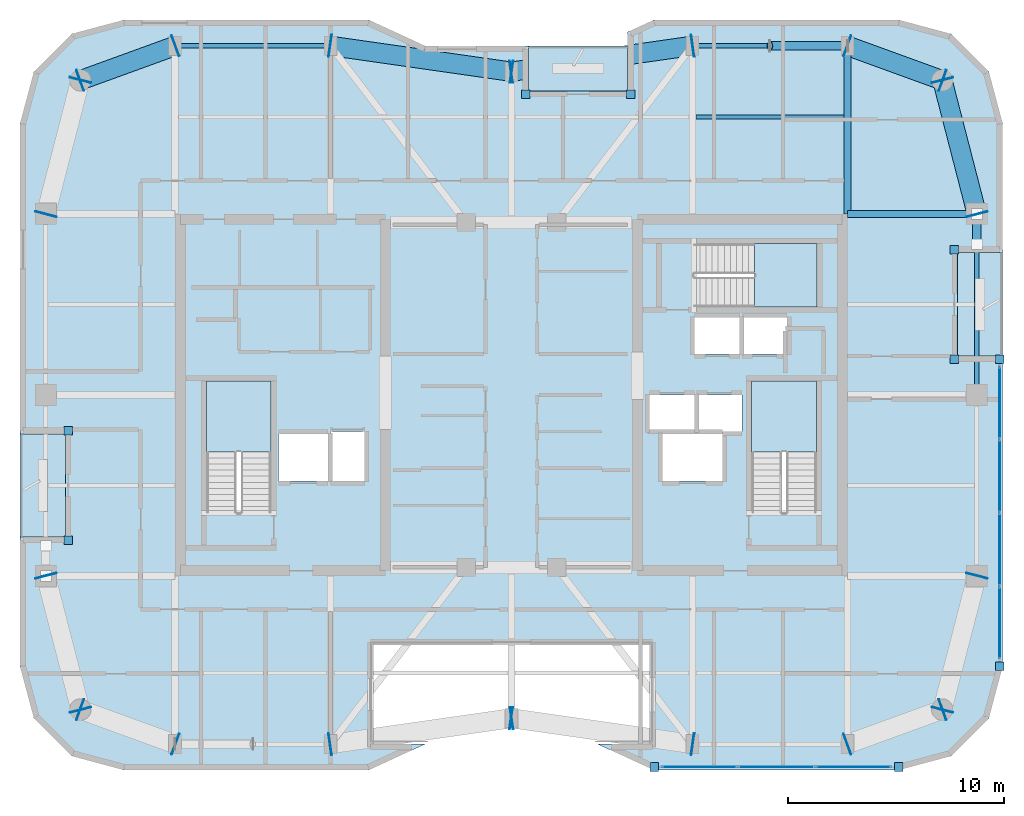
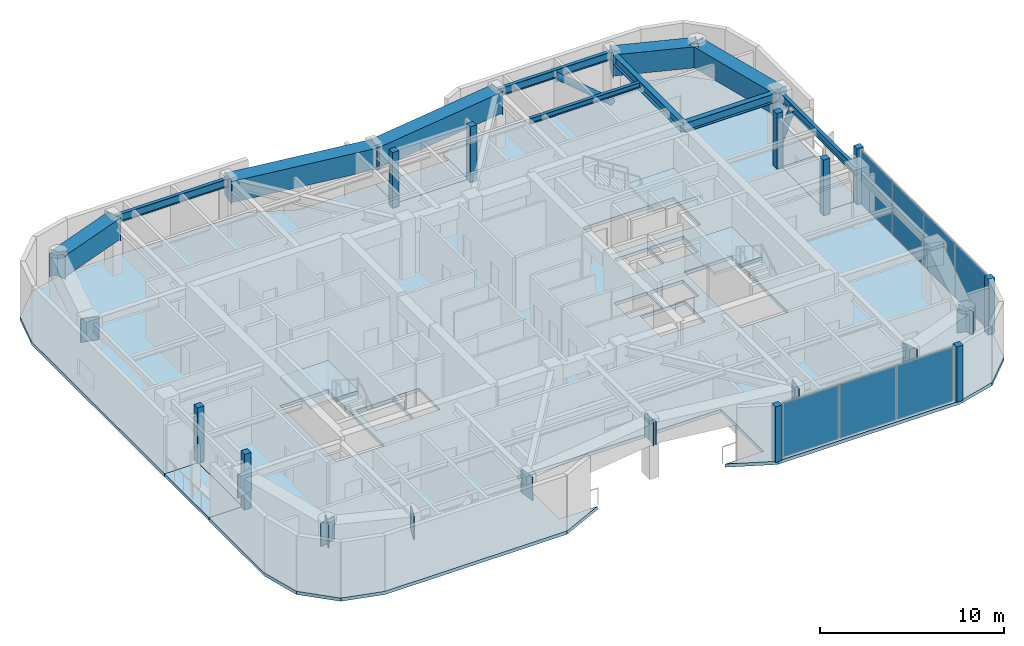
# One storey, part 7 of 16: 41 plates, 11 beams, 7 slabs, 2 members, 5 elements without a shape of their own.
"""IFC4 building model written with IfcOpenShell, lengths in metres."""

from ifc_helpers import new_model, si_unit, direction, frame, origin, origin_2d, place, context, subcontext, project, spatial, polyline, rectangle, hollow_rectangle, hollow_circle, i_section, outline, extrude, material, layer, layer_set, material_profile, profile_set, type_object, element, aggregate, save


model = new_model("IFC4")

# Units and contexts
model_context = context("Model", 3, precision=1e-05, world=origin(), true_north=direction((0.0, 1.0)))
body_context = subcontext(model_context, "Body", "Model", "MODEL_VIEW")
ifc_project = project(units=[si_unit("LENGTHUNIT", "METRE"), si_unit("AREAUNIT", "SQUARE_METRE"), si_unit("VOLUMEUNIT", "CUBIC_METRE"), si_unit("PLANEANGLEUNIT", "RADIAN"), si_unit("MASSUNIT", "GRAM", prefix="KILO")], contexts=[model_context])

# Site, building, storey
site_placement = place(None, origin())
site = spatial("IfcSite", under=ifc_project, at=site_placement, CompositionType="ELEMENT")
building_placement = place(site_placement, origin())
building = spatial("IfcBuilding", under=site, at=building_placement, Name="Kiyonajd Concourse Tower", CompositionType="ELEMENT")
storey_placement = place(building_placement, frame((0.0, 0.0, 298.5)))
storey = spatial("IfcBuildingStorey", under=building, at=storey_placement, Name="L75", CompositionType="ELEMENT", Elevation=298.5)

# Beams
ifc_material_1 = material(Name="Steel ASTM A992 Grade 50", Category="steel")
ifc_material_profile_1 = material_profile(ifc_material_1, i_section(OverallWidth=0.205078125, OverallDepth=0.35400390625, WebThickness=0.009521484375, FlangeThickness=0.016845703125, at=origin_2d()), Name="W360X79")
ifc_profile_set_1 = profile_set([ifc_material_profile_1], Name="Steel ASTM A992 Grade 50")
beam_type_1 = type_object("IfcBeamType", Name="BM-JST-360", PredefinedType="JOIST", material=ifc_profile_set_1)
beam_1_placement = place(storey_placement, frame((56.56201171875, 48.89990234375, 3.5029296875), z_axis=(1.0, 0.0, 0.0), x_axis=(0.0, 1.0, 0.0)))
element("IfcBeam", 1, at=beam_1_placement, inside=storey, type_object=beam_type_1, Name="L75 Secondary Floor Joist", PredefinedType="JOIST", context=body_context, shape_type="SweptSolid", body=[
    extrude(i_section(OverallWidth=0.205078125, OverallDepth=0.35400390625, WebThickness=0.009521484375, FlangeThickness=0.016845703125, at=origin_2d()), origin(), (0.0, 0.0, 1.0), 6.8759765625),
])
ifc_material_profile_2 = material_profile(ifc_material_1, i_section(OverallWidth=0.2109375, OverallDepth=0.5390625, WebThickness=0.01171875, FlangeThickness=0.018798828125, at=origin_2d()), Name="W530X109")
ifc_profile_set_2 = profile_set([ifc_material_profile_2], Name="Steel ASTM A992 Grade 50")
beam_type_2 = type_object("IfcBeamType", Name="BM-SPAN-530B", PredefinedType="SPANDREL", material=ifc_profile_set_2)
beam_2_placement = place(storey_placement, frame((69.60009765625, 36.0, 3.410400390625), z_axis=(0.0, 1.0, 0.0), x_axis=(-1.0, 0.0, 0.0)))
element("IfcBeam", 2, at=beam_2_placement, inside=storey, type_object=beam_type_2, Name="L75 Perimeter Bundled Tube Spandrel", PredefinedType="SPANDREL", context=body_context, shape_type="SweptSolid", body=[
    extrude(i_section(OverallWidth=0.2109375, OverallDepth=0.5390625, WebThickness=0.01171875, FlangeThickness=0.018798828125, at=origin_2d()), origin(), (0.0, 0.0, 1.0), 8.39990234375),
])
for number, where, z_axis, x_axis, name in (
    (3, (63.60009765625, 52.199951171875, 3.410400390625), (-1.0, 0.0, 0.0), (0.0, -1.0, 0.0), "L75 Perimeter Bundled Tube Spandrel"),
    (4, (39.60009765625, 52.199951171875, 3.410400390625), (-1.0, 0.0, 0.0), (0.0, -1.0, 0.0), "L75 Perimeter Bundled Tube Spandrel"),
):
    element("IfcBeam", number, at=place(storey_placement, frame(where, z_axis=z_axis, x_axis=x_axis)), inside=storey, type_object=beam_type_2, Name=name, PredefinedType="SPANDREL", context=body_context, shape_type="SweptSolid", body=[
        extrude(i_section(OverallWidth=0.2109375, OverallDepth=0.5390625, WebThickness=0.01171875, FlangeThickness=0.018798828125, at=origin_2d()), origin(), (0.0, 0.0, 1.0), 7.2001953125),
    ])
ifc_material_profile_3 = material_profile(ifc_material_1, i_section(OverallWidth=0.323974609375, OverallDepth=0.611083984375, WebThickness=0.0126953125, FlangeThickness=0.01904296875, at=origin_2d()), Name="W610X155")
ifc_profile_set_3 = profile_set([ifc_material_profile_3], Name="Steel ASTM A992 Grade 50")
beam_type_3 = type_object("IfcBeamType", Name="BM-TWR-610B", PredefinedType="BEAM", material=ifc_profile_set_3)
beam_3_placement = place(storey_placement, frame((63.60009765625, 44.39990234375, 3.37451171875), z_axis=(0.0, 1.0, 0.0), x_axis=(-1.0, 0.0, 0.0)))
element("IfcBeam", 5, at=beam_3_placement, inside=storey, type_object=beam_type_3, Name="L75 North Lease Girder", PredefinedType="BEAM", context=body_context, shape_type="SweptSolid", body=[
    extrude(i_section(OverallWidth=0.323974609375, OverallDepth=0.611083984375, WebThickness=0.0126953125, FlangeThickness=0.01904296875, at=origin_2d()), origin(), (0.0, 0.0, 1.0), 7.800048828125),
])
beam_4_placement = place(storey_placement, frame((63.60009765625, 44.39990234375, 3.37451171875), z_axis=(1.0, 0.0, 0.0), x_axis=(0.0, 1.0, 0.0)))
element("IfcBeam", 6, at=beam_4_placement, inside=storey, type_object=beam_type_3, Name="L75 East Lease Girder", PredefinedType="BEAM", context=body_context, shape_type="SweptSolid", body=[
    extrude(i_section(OverallWidth=0.323974609375, OverallDepth=0.611083984375, WebThickness=0.0126953125, FlangeThickness=0.01904296875, at=origin_2d()), origin(), (0.0, 0.0, 1.0), 6.0),
])
ifc_material_2 = material(Name="Steel ASTM A572 Grade 50", Category="steel")
ifc_material_profile_4 = material_profile(ifc_material_2, hollow_rectangle(XDim=0.89990234375, YDim=1.39990234375, WallThickness=0.070068359375, at=origin_2d()), Name="BOX-1400x900x70")
ifc_profile_set_4 = profile_set([ifc_material_profile_4], Name="Steel ASTM A572 Grade 50")
beam_type_4 = type_object("IfcBeamType", Name="BM-XFER-1400", PredefinedType="BEAM", material=ifc_profile_set_4)
beam_5_placement = place(storey_placement, frame((69.60009765625, 44.39990234375, 2.97998046875), z_axis=(-0.249884937687, 0.968275538221, 0.0), x_axis=(-0.968275538221, -0.249884937687, 0.0)))
element("IfcBeam", 7, at=beam_5_placement, inside=storey, type_object=beam_type_4, Name="L75 Perimeter Bundled Tube Spandrel", PredefinedType="BEAM", context=body_context, shape_type="SweptSolid", body=[
    extrude(hollow_rectangle(XDim=0.89990234375, YDim=1.39990234375, WallThickness=0.070068359375, at=origin_2d()), origin(), (0.0, 0.0, 1.0), 6.4033203125),
])
beam_6_placement = place(storey_placement, frame((68.0, 50.60009765625, 2.97998046875), z_axis=(-0.939801036019, 0.341722127901, 0.0), x_axis=(-0.341722127901, -0.939801036019, 0.0)))
element("IfcBeam", 8, at=beam_6_placement, inside=storey, type_object=beam_type_4, Name="L75 Perimeter Bundled Tube Spandrel", PredefinedType="BEAM", context=body_context, shape_type="SweptSolid", body=[
    extrude(hollow_rectangle(XDim=0.89990234375, YDim=1.39990234375, WallThickness=0.070068359375, at=origin_2d()), origin(), (0.0, 0.0, 1.0), 4.681640625),
])
for number, where, z_axis, x_axis, name in (
    (9, (56.39990234375, 52.199951171875, 2.97998046875), (-0.989950069105, -0.141417328072, 0.0), (0.141417328072, -0.989950069105, 0.0), "L75 Perimeter Bundled Tube Spandrel"),
    (10, (48.0, 51.0, 2.97998046875), (-0.989950069105, 0.141417328072, 0.0), (-0.141417328072, -0.989950069105, 0.0), "L75 Perimeter Bundled Tube Spandrel"),
):
    element("IfcBeam", number, at=place(storey_placement, frame(where, z_axis=z_axis, x_axis=x_axis)), inside=storey, type_object=beam_type_4, Name=name, PredefinedType="BEAM", context=body_context, shape_type="SweptSolid", body=[
        extrude(hollow_rectangle(XDim=0.89990234375, YDim=1.39990234375, WallThickness=0.070068359375, at=origin_2d()), origin(), (0.0, 0.0, 1.0), 8.485107421875),
    ])
beam_7_placement = place(storey_placement, frame((32.39990234375, 52.199951171875, 2.97998046875), z_axis=(-0.939801036019, -0.341722127901, 0.0), x_axis=(0.341722127901, -0.939801036019, 0.0)))
element("IfcBeam", 11, at=beam_7_placement, inside=storey, type_object=beam_type_4, Name="L75 Perimeter Bundled Tube Spandrel", PredefinedType="BEAM", context=body_context, shape_type="SweptSolid", body=[
    extrude(hollow_rectangle(XDim=0.89990234375, YDim=1.39990234375, WallThickness=0.070068359375, at=origin_2d()), origin(), (0.0, 0.0, 1.0), 4.681640625),
])

# Members
ifc_material_3 = material(Name="Steel ASTM A500 Grade C", Category="steel")
ifc_material_profile_5 = material_profile(ifc_material_3, hollow_circle(Radius=0.202880859375, WallThickness=0.01904296875, at=origin_2d()), Name="CHS-406x19")
ifc_profile_set_5 = profile_set([ifc_material_profile_5], Name="Steel ASTM A500 Grade C")
member_type = type_object("IfcMemberType", Name="MB-PB-HIGH", PredefinedType="BRACE", material=ifc_profile_set_5)
member_1_placement = place(storey_placement, frame((63.60009765625, 52.199951171875, 0.300048828125), z_axis=(-0.765082043761, 0.0, 0.643932811957), x_axis=(0.0, -1.0, 0.0)))
element("IfcMember", 12, at=member_1_placement, inside=storey, type_object=member_type, Name="L75 Upper Zone Hollow Tube Brace PBN", PredefinedType="BRACE", context=body_context, shape_type="SweptSolid", body=[
    extrude(hollow_circle(Radius=0.202880859375, WallThickness=0.01904296875, at=origin_2d()), origin(), (0.0, 0.0, 1.0), 4.70556640625),
])
member_2_placement = place(storey_placement, frame((69.60009765625, 44.39990234375, 0.300048828125), z_axis=(0.0, -0.419410666774, 0.907796614114), x_axis=(1.0, 0.0, 0.0)))
element("IfcMember", 13, at=member_2_placement, inside=storey, type_object=member_type, Name="L75 Upper Zone Hollow Tube Brace PBE", PredefinedType="BRACE", context=body_context, shape_type="SweptSolid", body=[
    extrude(hollow_circle(Radius=0.202880859375, WallThickness=0.01904296875, at=origin_2d()), origin(), (0.0, 0.0, 1.0), 3.337890625),
])

# Plates
ifc_layer_1 = layer(ifc_material_2, 0.031982421875)
ifc_layer_set_1 = layer_set([ifc_layer_1], Name="Steel ASTM A572 Grade 50")
plate_type_1 = type_object("IfcPlateType", Name="PL-CAP-540", PredefinedType="USERDEFINED", material=ifc_layer_set_1)
for number, where, z_axis, x_axis, name in (
    (14, (26.397216796875, 27.610595703125, 2.2099609375), (0.0, 0.0, 1.0), (-0.249873048837, 0.968278606324, 0.0), "L75 Welded Box Girder End Cap"),
    (15, (28.002685546875, 21.389404296875, 2.2099609375), (0.0, 0.0, 1.0), (0.249873048837, -0.968278606324, 0.0), "L75 Welded Box Girder End Cap"),
    (16, (27.98974609375, 21.40380859375, 2.2099609375), (0.0, 0.0, 1.0), (-0.939811951086, 0.341692107891, 0.0), "L75 Welded Box Girder End Cap"),
    (17, (32.410400390625, 19.796142578125, 2.2099609375), (0.0, 0.0, 1.0), (0.939811951086, -0.341692107891, 0.0), "L75 Welded Box Girder End Cap"),
    (18, (39.589111328125, 19.79833984375, 2.2099609375), (0.0, 0.0, 1.0), (-0.989949746297, -0.141419587774, 0.0), "L75 Welded Box Girder End Cap"),
    (19, (48.010986328125, 21.001708984375, 2.2099609375), (0.0, 0.0, 1.0), (0.989949746297, 0.141419587774, 0.0), "L75 Welded Box Girder End Cap"),
    (20, (47.989013671875, 21.001708984375, 2.2099609375), (0.0, 0.0, 1.0), (-0.989949746297, 0.141419587774, 0.0), "L75 Welded Box Girder End Cap"),
    (21, (56.410888671875, 19.79833984375, 2.2099609375), (0.0, 0.0, 1.0), (0.989949746297, -0.141419587774, 0.0), "L75 Welded Box Girder End Cap"),
    (22, (63.589599609375, 19.796142578125, 2.2099609375), (0.0, 0.0, 1.0), (-0.939811951086, -0.341692107891, 0.0), "L75 Welded Box Girder End Cap"),
    (23, (68.01025390625, 21.40380859375, 2.2099609375), (0.0, 0.0, 1.0), (0.939811951086, 0.341692107891, 0.0), "L75 Welded Box Girder End Cap"),
    (24, (67.997314453125, 21.389404296875, 2.2099609375), (0.0, 0.0, 1.0), (-0.249873048837, -0.968278606324, 0.0), "L75 Welded Box Girder End Cap"),
    (25, (69.602783203125, 27.610595703125, 2.2099609375), (0.0, 0.0, 1.0), (0.249873048837, 0.968278606324, 0.0), "L75 Welded Box Girder End Cap"),
    (26, (69.602783203125, 44.389404296875, 2.2099609375), (0.0, 0.0, 1.0), (0.249873048837, -0.968278606324, 0.0), "L75 Welded Box Girder End Cap"),
    (27, (67.997314453125, 50.610595703125, 2.2099609375), (0.0, 0.0, 1.0), (-0.249873048837, 0.968278606324, 0.0), "L75 Welded Box Girder End Cap"),
    (28, (68.01025390625, 50.59619140625, 2.2099609375), (0.0, 0.0, 1.0), (0.939811951086, -0.341692107891, 0.0), "L75 Welded Box Girder End Cap"),
    (29, (63.589599609375, 52.203857421875, 2.2099609375), (0.0, 0.0, 1.0), (-0.939811951086, 0.341692107891, 0.0), "L75 Welded Box Girder End Cap"),
    (30, (56.410888671875, 52.20166015625, 2.2099609375), (0.0, 0.0, 1.0), (0.989949746297, 0.141419587774, 0.0), "L75 Welded Box Girder End Cap"),
    (31, (47.989013671875, 50.998291015625, 2.2099609375), (0.0, 0.0, 1.0), (-0.989949746297, -0.141419587774, 0.0), "L75 Welded Box Girder End Cap"),
    (32, (48.010986328125, 50.998291015625, 2.2099609375), (0.0, 0.0, 1.0), (0.989949746297, -0.141419587774, 0.0), "L75 Welded Box Girder End Cap"),
    (33, (39.589111328125, 52.20166015625, 2.2099609375), (0.0, 0.0, 1.0), (-0.989949746297, 0.141419587774, 0.0), "L75 Welded Box Girder End Cap"),
    (34, (32.410400390625, 52.203857421875, 2.2099609375), (0.0, 0.0, 1.0), (0.939811951086, 0.341692107891, 0.0), "L75 Welded Box Girder End Cap"),
    (35, (27.98974609375, 50.59619140625, 2.2099609375), (0.0, 0.0, 1.0), (-0.939811951086, -0.341692107891, 0.0), "L75 Welded Box Girder End Cap"),
    (36, (28.002685546875, 50.610595703125, 2.2099609375), (0.0, 0.0, 1.0), (0.249873048837, 0.968278606324, 0.0), "L75 Welded Box Girder End Cap"),
    (37, (26.397216796875, 44.389404296875, 2.2099609375), (0.0, 0.0, 1.0), (-0.249873048837, -0.968278606324, 0.0), "L75 Welded Box Girder End Cap"),
):
    element("IfcPlate", number, at=place(storey_placement, frame(where, z_axis=z_axis, x_axis=x_axis)), inside=storey, type_object=plate_type_1, Name=name, ObjectType="CAP PLATE", PredefinedType="USERDEFINED", context=body_context, shape_type="SweptSolid", body=[
        extrude(rectangle(XDim=0.035888671875, YDim=1.02001953125, at=origin_2d()), origin(), (0.0, 0.0, 1.0), 1.5400390625),
    ])

# Curtain wall, plates
ifc_material_4 = material(Name="Thermally Broken Anodised Aluminium", Category="aluminium")
ifc_layer_2 = layer(ifc_material_4, 0.179931640625)
ifc_layer_set_2 = layer_set([ifc_layer_2], Name="Thermally Broken Anodised Aluminium")
curtain_wall_type = type_object("IfcCurtainWallType", Name="CW-SYS-04", PredefinedType="NOTDEFINED", material=ifc_layer_set_2)
curtain_wall_1_placement = place(storey_placement, origin())
curtain_wall_1 = element("IfcCurtainWall", 38, at=curtain_wall_1_placement, inside=storey, type_object=curtain_wall_type, Name="L75 Unitised Curtain Wall CW4", PredefinedType="NOTDEFINED")
ifc_material_5 = material(Name="Double Low-E Insulated Glass", Category="glass")
ifc_layer_3 = layer(ifc_material_5, 0.033935546875)
ifc_layer_set_3 = layer_set([ifc_layer_3], Name="Double Low-E Insulated Glass")
plate_type_2 = type_object("IfcPlateType", Name="PL-CW-VIS34", PredefinedType="CURTAIN_PANEL", material=ifc_layer_set_3)
plate_1_placement = place(storey_placement, frame((70.659912109375, 35.64599609375, 0.06494140625), z_axis=(0.0, 0.0, 1.0), x_axis=(0.0, -1.0, 0.0)))
plate_1 = element("IfcPlate", 39, at=plate_1_placement, type_object=plate_type_2, Name="CW4 panel 1.1", PredefinedType="CURTAIN_PANEL", context=body_context, shape_type="SweptSolid", body=[
    extrude(rectangle(XDim=3.31787109375, YDim=0.033935546875, at=origin_2d()), origin(), (0.0, 0.0, 1.0), 3.550048828125),
])
plate_2_placement = place(storey_placement, frame((70.659912109375, 32.246826171875, 0.06494140625), z_axis=(0.0, 0.0, 1.0), x_axis=(0.0, -1.0, 0.0)))
plate_2 = element("IfcPlate", 40, at=plate_2_placement, type_object=plate_type_2, Name="CW4 panel 2.1", PredefinedType="CURTAIN_PANEL", context=body_context, shape_type="SweptSolid", body=[
    extrude(rectangle(XDim=3.350341796875, YDim=0.033935546875, at=origin_2d()), origin(), (0.0, 0.0, 1.0), 3.550048828125),
])
plate_3_placement = place(storey_placement, frame((70.659912109375, 28.83154296875, 0.06494140625), z_axis=(0.0, 0.0, 1.0), x_axis=(0.0, -1.0, 0.0)))
plate_3 = element("IfcPlate", 41, at=plate_3_placement, type_object=plate_type_2, Name="CW4 panel 3.1", PredefinedType="CURTAIN_PANEL", context=body_context, shape_type="SweptSolid", body=[
    extrude(rectangle(XDim=3.350341796875, YDim=0.033935546875, at=origin_2d()), origin(), (0.0, 0.0, 1.0), 3.550048828125),
])
plate_4_placement = place(storey_placement, frame((70.659912109375, 25.432373046875, 0.06494140625), z_axis=(0.0, 0.0, 1.0), x_axis=(0.0, -1.0, 0.0)))
plate_4 = element("IfcPlate", 42, at=plate_4_placement, type_object=plate_type_2, Name="CW4 panel 4.1", PredefinedType="CURTAIN_PANEL", context=body_context, shape_type="SweptSolid", body=[
    extrude(rectangle(XDim=3.31787109375, YDim=0.033935546875, at=origin_2d()), origin(), (0.0, 0.0, 1.0), 3.550048828125),
])
aggregate(curtain_wall_1, [plate_1, plate_2, plate_3, plate_4])

curtain_wall_2_placement = place(storey_placement, origin())
curtain_wall_2 = element("IfcCurtainWall", 43, at=curtain_wall_2_placement, inside=storey, type_object=curtain_wall_type, Name="L75 Unitised Curtain Wall CW4", PredefinedType="NOTDEFINED")
plate_5_placement = place(storey_placement, frame((63.880126953125, 18.739990234375, 0.06494140625), z_axis=(0.0, 0.0, 1.0), x_axis=(-1.0, 0.0, 0.0)))
plate_5 = element("IfcPlate", 44, at=plate_5_placement, type_object=plate_type_2, Name="CW4 panel 1.1", PredefinedType="CURTAIN_PANEL", context=body_context, shape_type="SweptSolid", body=[
    extrude(rectangle(XDim=3.492919921875, YDim=0.033935546875, at=origin_2d()), origin(), (0.0, 0.0, 1.0), 3.550048828125),
])
plate_6_placement = place(storey_placement, frame((60.30615234375, 18.739990234375, 0.06494140625), z_axis=(0.0, 0.0, 1.0), x_axis=(-1.0, 0.0, 0.0)))
plate_6 = element("IfcPlate", 45, at=plate_6_placement, type_object=plate_type_2, Name="CW4 panel 2.1", PredefinedType="CURTAIN_PANEL", context=body_context, shape_type="SweptSolid", body=[
    extrude(rectangle(XDim=3.525390625, YDim=0.033935546875, at=origin_2d()), origin(), (0.0, 0.0, 1.0), 3.550048828125),
])
plate_7_placement = place(storey_placement, frame((56.732177734375, 18.739990234375, 0.06494140625), z_axis=(0.0, 0.0, 1.0), x_axis=(-1.0, 0.0, 0.0)))
plate_7 = element("IfcPlate", 46, at=plate_7_placement, type_object=plate_type_2, Name="CW4 panel 3.1", PredefinedType="CURTAIN_PANEL", context=body_context, shape_type="SweptSolid", body=[
    extrude(rectangle(XDim=3.492919921875, YDim=0.033935546875, at=origin_2d()), origin(), (0.0, 0.0, 1.0), 3.550048828125),
])
aggregate(curtain_wall_2, [plate_5, plate_6, plate_7])

# Plates
ifc_layer_4 = layer(ifc_material_4, 0.39990234375)
ifc_layer_set_4 = layer_set([ifc_layer_4], Name="Thermally Broken Anodised Aluminium")
plate_type_3 = type_object("IfcPlateType", Name="PL-JMB-400", PredefinedType="USERDEFINED", material=ifc_layer_set_4)
for number, where, z_axis, x_axis, name in (
    (47, (68.56005859375, 42.739990234375, 0.0), (0.0, 0.0, 1.0), (1.0, 0.0, 0.0), "L75 Facade Jamb Closure Plate 01"),
    (48, (68.56005859375, 37.659912109375, 0.0), (0.0, 0.0, 1.0), (1.0, 0.0, 0.0), "L75 Facade Jamb Closure Plate 02"),
    (49, (70.659912109375, 37.659912109375, 0.0), (0.0, 0.0, 1.0), (1.0, 0.0, 0.0), "L75 Facade Jamb Closure Plate 03"),
    (50, (70.659912109375, 23.41845703125, 0.0), (0.0, 0.0, 1.0), (1.0, 0.0, 0.0), "L75 Facade Jamb Closure Plate 04"),
    (51, (65.981689453125, 18.739990234375, 0.0), (0.0, 0.0, 1.0), (1.0, 0.0, 0.0), "L75 Facade Jamb Closure Plate 05"),
    (52, (54.630615234375, 18.739990234375, 0.0), (0.0, 0.0, 1.0), (1.0, 0.0, 0.0), "L75 Facade Jamb Closure Plate 06"),
    (53, (27.43994140625, 29.260009765625, 0.0), (0.0, 0.0, 1.0), (1.0, 0.0, 0.0), "L75 Facade Jamb Closure Plate 07"),
    (54, (27.43994140625, 34.340087890625, 0.0), (0.0, 0.0, 1.0), (1.0, 0.0, 0.0), "L75 Facade Jamb Closure Plate 08"),
    (55, (48.659912109375, 49.9599609375, 0.0), (0.0, 0.0, 1.0), (1.0, 0.0, 0.0), "L75 Facade Jamb Closure Plate 09"),
    (56, (53.5400390625, 49.9599609375, 0.0), (0.0, 0.0, 1.0), (1.0, 0.0, 0.0), "L75 Facade Jamb Closure Plate 10"),
):
    element("IfcPlate", number, at=place(storey_placement, frame(where, z_axis=z_axis, x_axis=x_axis)), inside=storey, type_object=plate_type_3, Name=name, ObjectType="JAMB PLATE", PredefinedType="USERDEFINED", context=body_context, shape_type="SweptSolid", body=[
        extrude(rectangle(XDim=0.39990234375, YDim=0.39990234375, at=origin_2d()), origin(), (0.0, 0.0, 1.0), 3.679931640625),
    ])

# Stair, slab
ifc_material_6 = material(Name="Concrete C40/50", Category="concrete")
stair_type = type_object("IfcStairType", Name="ST-DLG-22R", PredefinedType="HALF_TURN_STAIR", material=ifc_material_6)
stair_1_placement = place(storey_placement, origin())
stair_1 = element("IfcStair", 57, at=stair_1_placement, inside=storey, type_object=stair_type, Name="L75 Protected Exit Stair ST1", PredefinedType="HALF_TURN_STAIR")
ifc_layer_5 = layer(ifc_material_6, 0.199951171875)
ifc_layer_set_5 = layer_set([ifc_layer_5], Name="Concrete C40/50")
slab_type_1 = type_object("IfcSlabType", Name="SL-LND-200", PredefinedType="LANDING", material=ifc_layer_set_5)
slab_1_placement = place(storey_placement, frame((0.0, 0.0, 1.75)))
slab_1 = element("IfcSlab", 58, at=slab_1_placement, type_object=slab_type_1, Name="ST1 landing 1", PredefinedType="LANDING", context=body_context, shape_type="SweptSolid", body=[
    extrude(outline(polyline([(36.85009765625, 33.35009765625), (36.85009765625, 36.64990234375), (33.85009765625, 36.64990234375), (33.85009765625, 33.35009765625), (36.85009765625, 33.35009765625)])), origin(), (0.0, 0.0, 1.0), 0.199951171875),
])
aggregate(stair_1, [slab_1])

stair_2_placement = place(storey_placement, origin())
stair_2 = element("IfcStair", 59, at=stair_2_placement, inside=storey, type_object=stair_type, Name="L75 Protected Exit Stair ST2", PredefinedType="HALF_TURN_STAIR")
slab_2_placement = place(storey_placement, frame((0.0, 0.0, 1.75)))
slab_2 = element("IfcSlab", 60, at=slab_2_placement, type_object=slab_type_1, Name="ST2 landing 1", PredefinedType="LANDING", context=body_context, shape_type="SweptSolid", body=[
    extrude(outline(polyline([(62.14990234375, 33.35009765625), (62.14990234375, 36.64990234375), (59.14990234375, 36.64990234375), (59.14990234375, 33.35009765625), (62.14990234375, 33.35009765625)])), origin(), (0.0, 0.0, 1.0), 0.199951171875),
])
aggregate(stair_2, [slab_2])

stair_3_placement = place(storey_placement, origin())
stair_3 = element("IfcStair", 61, at=stair_3_placement, inside=storey, type_object=stair_type, Name="L75 Protected Exit Stair ST3", PredefinedType="HALF_TURN_STAIR")
slab_3_placement = place(storey_placement, frame((0.0, 0.0, 1.75)))
slab_3 = element("IfcSlab", 62, at=slab_3_placement, type_object=slab_type_1, Name="ST3 landing 1", PredefinedType="LANDING", context=body_context, shape_type="SweptSolid", body=[
    extrude(outline(polyline([(59.280029296875, 40.080078125), (62.179931640625, 40.080078125), (62.179931640625, 43.02001953125), (59.280029296875, 43.02001953125), (59.280029296875, 40.080078125)])), origin(), (0.0, 0.0, 1.0), 0.199951171875),
])
aggregate(stair_3, [slab_3])

# Slabs
ifc_material_7 = material(Name="Precast concrete C50/60", Category="concrete")
ifc_layer_6 = layer(ifc_material_7, 0.199951171875)
ifc_layer_set_6 = layer_set([ifc_layer_6], Name="Precast concrete C50/60")
slab_type_2 = type_object("IfcSlabType", Name="SL-LOG-200", PredefinedType="FLOOR", material=ifc_layer_set_6)
slab_4_placement = place(storey_placement, frame((0.0, 0.0, -0.199951171875)))
element("IfcSlab", 63, at=slab_4_placement, inside=storey, type_object=slab_type_2, Name="L75 Recessed Engawa Loggia Terrace Slab LOG-N", PredefinedType="FLOOR", context=body_context, shape_type="SweptSolid", body=[
    extrude(outline(polyline([(48.800048828125, 50.10009765625), (53.39990234375, 50.10009765625), (53.39990234375, 52.199951171875), (48.800048828125, 52.199951171875), (48.800048828125, 50.10009765625)])), origin(), (0.0, 0.0, 1.0), 0.199951171875),
])
slab_5_placement = place(storey_placement, frame((0.0, 0.0, -0.199951171875)))
element("IfcSlab", 64, at=slab_5_placement, inside=storey, type_object=slab_type_2, Name="L75 Recessed Engawa Loggia Terrace Slab LOG-W", PredefinedType="FLOOR", context=body_context, shape_type="SweptSolid", body=[
    extrude(outline(polyline([(25.199951171875, 29.39990234375), (27.300048828125, 29.39990234375), (27.300048828125, 34.199951171875), (25.199951171875, 34.199951171875), (25.199951171875, 29.39990234375)])), origin(), (0.0, 0.0, 1.0), 0.199951171875),
])
slab_6_placement = place(storey_placement, frame((0.0, 0.0, -0.199951171875)))
element("IfcSlab", 65, at=slab_6_placement, inside=storey, type_object=slab_type_2, Name="L75 Recessed Engawa Loggia Terrace Slab LOG-E", PredefinedType="FLOOR", context=body_context, shape_type="SweptSolid", body=[
    extrude(outline(polyline([(68.699951171875, 37.800048828125), (70.800048828125, 37.800048828125), (70.800048828125, 42.60009765625), (68.699951171875, 42.60009765625), (68.699951171875, 37.800048828125)])), origin(), (0.0, 0.0, 1.0), 0.199951171875),
])
ifc_layer_7 = layer(ifc_material_6, 0.219970703125)
ifc_layer_set_7 = layer_set([ifc_layer_7], Name="Concrete C40/50")
slab_type_3 = type_object("IfcSlabType", Name="SL-TWR-220", PredefinedType="FLOOR", material=ifc_layer_set_7)
slab_7_placement = place(storey_placement, frame((0.0, 0.0, -0.219970703125)))
element("IfcSlab", 66, at=slab_7_placement, inside=storey, type_object=slab_type_3, Name="L75 Tower Conditioned Floor Slab", PredefinedType="FLOOR", context=body_context, shape_type="SweptSolid", body=[
    extrude(outline(polyline([(70.156982421875, 51.0), (70.800048828125, 48.60009765625), (70.800048828125, 42.60009765625), (68.699951171875, 42.60009765625), (68.699951171875, 37.800048828125), (70.800048828125, 37.800048828125), (70.800048828125, 23.39990234375), (70.156982421875, 21.0), (68.39990234375, 19.242919921875), (66.0, 18.60009765625), (54.60009765625, 18.60009765625), (52.0, 19.800048828125), (54.39990234375, 19.800048828125), (54.39990234375, 24.39990234375), (41.60009765625, 24.39990234375), (41.60009765625, 19.800048828125), (44.0, 19.800048828125), (41.39990234375, 18.60009765625), (30.0, 18.60009765625), (27.60009765625, 19.242919921875), (25.843017578125, 21.0), (25.199951171875, 23.39990234375), (25.199951171875, 29.39990234375), (27.300048828125, 29.39990234375), (27.300048828125, 34.199951171875), (25.199951171875, 34.199951171875), (25.199951171875, 48.60009765625), (25.843017578125, 51.0), (27.60009765625, 52.757080078125), (30.0, 53.39990234375), (41.39990234375, 53.39990234375), (44.0, 52.199951171875), (48.800048828125, 52.199951171875), (48.800048828125, 50.10009765625), (53.39990234375, 50.10009765625), (53.39990234375, 52.845947265625), (54.60009765625, 53.39990234375), (66.0, 53.39990234375), (68.39990234375, 52.757080078125), (70.156982421875, 51.0)]), holes=[polyline([(39.5, 32.0), (37.199951171875, 32.0), (37.199951171875, 34.199951171875), (39.5, 34.199951171875), (39.5, 32.0)]), polyline([(57.800048828125, 32.0), (55.0, 32.0), (55.0, 34.199951171875), (57.800048828125, 34.199951171875), (57.800048828125, 32.0)]), polyline([(41.199951171875, 32.0), (39.60009765625, 32.0), (39.60009765625, 34.300048828125), (41.199951171875, 34.300048828125), (41.199951171875, 32.0)]), polyline([(33.85009765625, 30.550048828125), (33.85009765625, 36.64990234375), (36.85009765625, 36.64990234375), (36.85009765625, 30.550048828125), (33.85009765625, 30.550048828125)]), polyline([(59.14990234375, 30.550048828125), (59.14990234375, 36.64990234375), (62.14990234375, 36.64990234375), (62.14990234375, 30.550048828125), (59.14990234375, 30.550048828125)]), polyline([(56.5, 34.300048828125), (54.39990234375, 34.300048828125), (54.39990234375, 36.0), (56.5, 36.0), (56.5, 34.300048828125)]), polyline([(58.699951171875, 34.300048828125), (56.60009765625, 34.300048828125), (56.60009765625, 36.0), (58.699951171875, 36.0), (58.699951171875, 34.300048828125)]), polyline([(58.60009765625, 37.89990234375), (56.5, 37.89990234375), (56.5, 39.60009765625), (58.60009765625, 39.60009765625), (58.60009765625, 37.89990234375)]), polyline([(58.699951171875, 37.89990234375), (58.699951171875, 39.60009765625), (60.800048828125, 39.60009765625), (60.800048828125, 37.89990234375), (58.699951171875, 37.89990234375)]), polyline([(56.47998046875, 43.02001953125), (62.179931640625, 43.02001953125), (62.179931640625, 40.080078125), (56.47998046875, 40.080078125), (56.47998046875, 43.02001953125)])]), origin(), (0.0, 0.0, 1.0), 0.219970703125),
])

save(model, "model.ifc")
